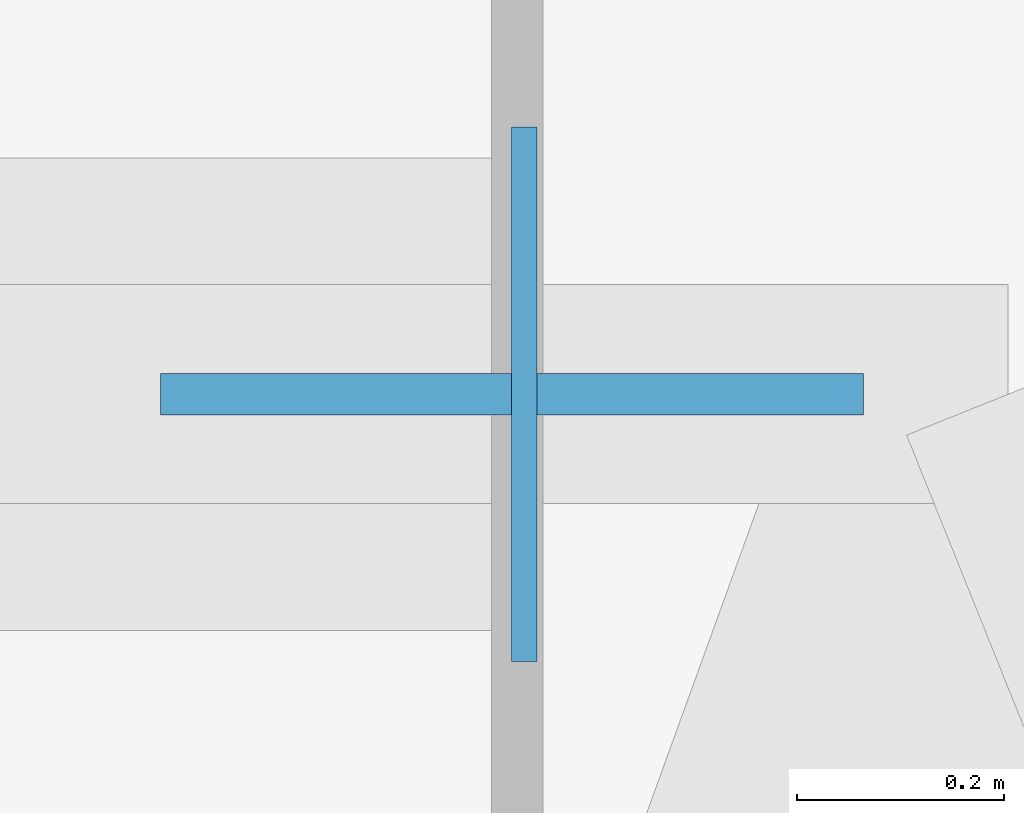
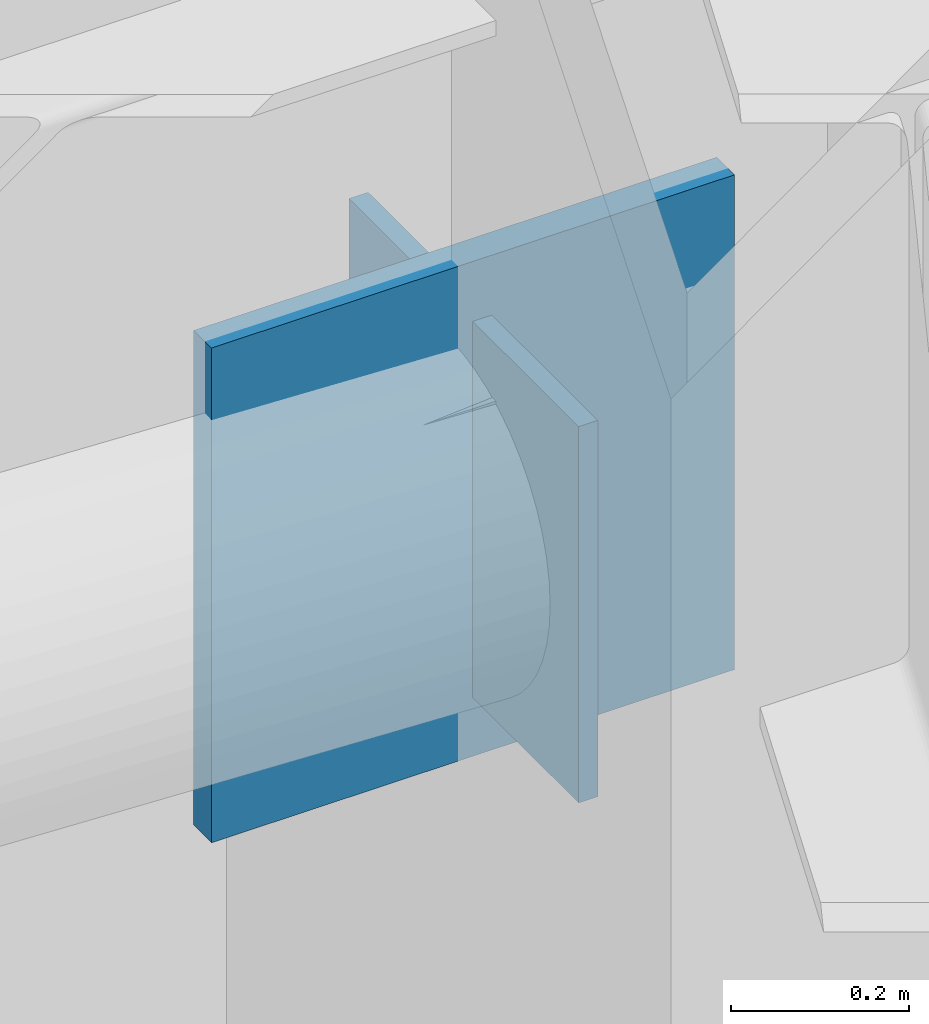
# One storey, part 6 of 14: 2 plates.
"""IFC4 building model written with IfcOpenShell, lengths in metres."""

from ifc_helpers import new_model, si_unit, direction, frame, origin, origin_2d, place, context, subcontext, project, spatial, rectangle, extrude, material, layer, layer_set, type_object, element, save


model = new_model("IFC4")

# Units and contexts
model_context = context("Model", 3, precision=1e-05, world=origin(), true_north=direction((0.0, 1.0)))
body_context = subcontext(model_context, "Body", "Model", "MODEL_VIEW")
ifc_project = project(units=[si_unit("LENGTHUNIT", "METRE"), si_unit("AREAUNIT", "SQUARE_METRE"), si_unit("VOLUMEUNIT", "CUBIC_METRE"), si_unit("PLANEANGLEUNIT", "RADIAN"), si_unit("MASSUNIT", "GRAM", prefix="KILO")], contexts=[model_context])

# Site, building, storey
site_placement = place(None, origin())
site = spatial("IfcSite", under=ifc_project, at=site_placement, CompositionType="ELEMENT")
building_placement = place(site_placement, origin())
building = spatial("IfcBuilding", under=site, at=building_placement, Name="Khamvora Tower", CompositionType="ELEMENT")
storey_placement = place(building_placement, frame((0.0, 0.0, 123.800048828125)))
storey = spatial("IfcBuildingStorey", under=building, at=storey_placement, Name="L31", CompositionType="ELEMENT", Elevation=123.800048828125)

# Plates
ifc_material_1 = material(Name="Steel S355", Category="steel")
ifc_layer_1 = layer(ifc_material_1, 0.02490234375)
ifc_layer_set_1 = layer_set([ifc_layer_1], Name="Steel S355")
plate_type_1 = type_object("IfcPlateType", Name="PL-CAP-25", PredefinedType="SHEET", material=ifc_layer_set_1)
plate_1_placement = place(storey_placement, frame((49.48193359375, 47.300048828125, 2.4404296875), z_axis=(0.0, 0.0, 1.0), x_axis=(-1.0, 0.0, 0.0)))
element("IfcPlate", 1, at=plate_1_placement, inside=storey, type_object=plate_type_1, Name="L31 hollow section steel end cap plate 0770", PredefinedType="SHEET", context=body_context, shape_type="SweptSolid", body=[
    extrude(rectangle(XDim=0.02490234375, YDim=0.51708984375, at=origin_2d()), origin(), (0.0, 0.0, 1.0), 0.51708984375),
])
ifc_material_2 = material(Name="Steel S460", Category="steel")
ifc_layer_2 = layer(ifc_material_2, 0.0400390625)
ifc_layer_set_2 = layer_set([ifc_layer_2], Name="Steel S460")
plate_type_2 = type_object("IfcPlateType", Name="PLT-GUS-40", PredefinedType="SHEET", material=ifc_layer_set_2)
plate_2_placement = place(storey_placement, frame((49.469970703125, 47.300048828125, 2.35986328125), z_axis=(0.0, 0.0, 1.0), x_axis=(1.0, 0.0, 0.0)))
element("IfcPlate", 2, at=plate_2_placement, inside=storey, type_object=plate_type_2, Name="L31 brace connection node gusset plate 0203", PredefinedType="SHEET", context=body_context, shape_type="SweptSolid", body=[
    extrude(rectangle(XDim=0.679931640625, YDim=0.0400390625, at=origin_2d()), origin(), (0.0, 0.0, 1.0), 0.679931640625),
])

save(model, "model.ifc")
